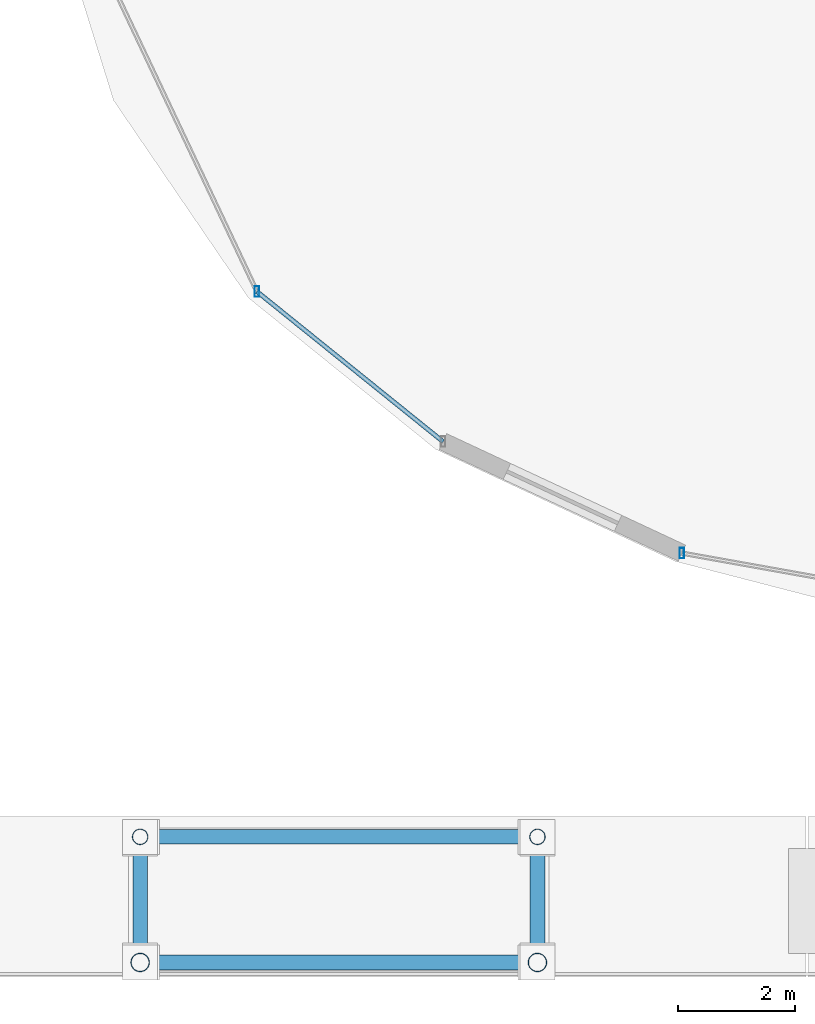
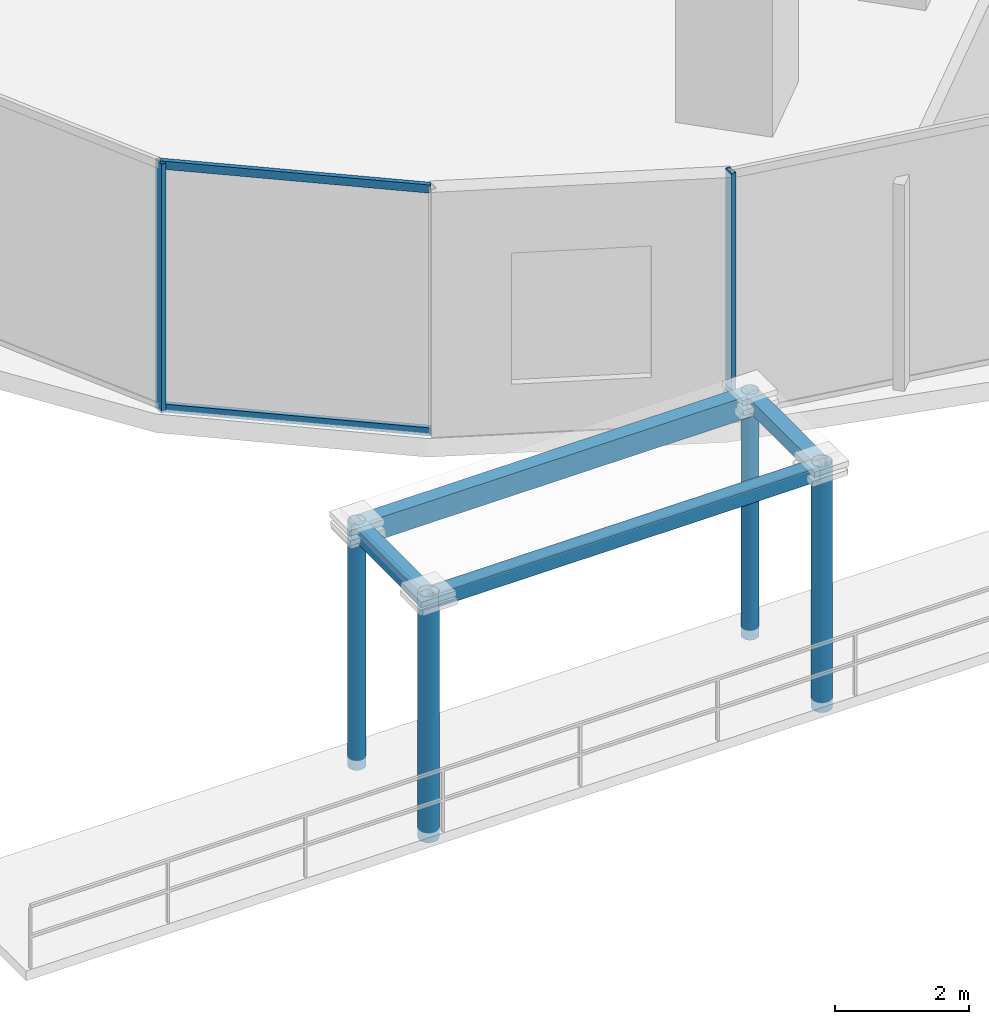
# One storey, part 2 of 36: 12 members, 2 elements without a shape of their own.
"""IFC4 building model written with IfcOpenShell, lengths in metres."""

from ifc_helpers import new_model, si_unit, direction, frame, origin, origin_2d, place, context, subcontext, project, spatial, hollow_rectangle, hollow_circle, extrude, material, material_profile, profile_set, type_object, element, aggregate, save


model = new_model("IFC4")

# Units and contexts
model_context = context("Model", 3, precision=1e-05, world=origin(), true_north=direction((0.0, 1.0)))
body_context = subcontext(model_context, "Body", "Model", "MODEL_VIEW")
ifc_project = project(units=[si_unit("LENGTHUNIT", "METRE"), si_unit("AREAUNIT", "SQUARE_METRE"), si_unit("VOLUMEUNIT", "CUBIC_METRE"), si_unit("PLANEANGLEUNIT", "RADIAN"), si_unit("MASSUNIT", "GRAM", prefix="KILO")], contexts=[model_context])

# Site, building, storey
site_placement = place(None, origin())
site = spatial("IfcSite", under=ifc_project, at=site_placement, CompositionType="ELEMENT")
building_placement = place(site_placement, origin())
building = spatial("IfcBuilding", under=site, at=building_placement, Name="Vorneva Point Tower", CompositionType="ELEMENT")
storey_placement = place(building_placement, origin())
storey = spatial("IfcBuildingStorey", under=building, at=storey_placement, Name="L00", CompositionType="ELEMENT", Elevation=0.0)

# Curtain wall, member
ifc_material_1 = material(Name="Pale anodised aluminium", Category="aluminium")
curtain_wall_type = type_object("IfcCurtainWallType", Name="CW-POD-SYS", PredefinedType="NOTDEFINED", material=ifc_material_1)
curtain_wall_1_placement = place(storey_placement, origin())
curtain_wall_1 = element("IfcCurtainWall", 1, at=curtain_wall_1_placement, inside=storey, type_object=curtain_wall_type, Name="L00 Unitised Curtain Wall CW-L00-R05", PredefinedType="NOTDEFINED")
ifc_material_profile_1 = material_profile(ifc_material_1, hollow_rectangle(XDim=0.074951171875, YDim=0.179931640625, WallThickness=0.00390625, at=origin_2d()), Name="AL-MUL 180x75x4")
ifc_profile_set_1 = profile_set([ifc_material_profile_1], Name="Pale anodised aluminium")
member_type_1 = type_object("IfcMemberType", Name="CW-MUL-180", PredefinedType="MULLION", material=ifc_profile_set_1)
member_1_placement = place(storey_placement, frame((6.59814453125, 9.53369140625, -0.0400390625), z_axis=(0.0, 0.0, 1.0), x_axis=(1.0, 0.0, 0.0)))
member_1 = element("IfcMember", 2, at=member_1_placement, type_object=member_type_1, Name="CW-L00-R05 Mullion 02", PredefinedType="MULLION", context=body_context, shape_type="SweptSolid", body=[
    extrude(hollow_rectangle(XDim=0.074951171875, YDim=0.179931640625, WallThickness=0.00390625, at=origin_2d()), origin(), (0.0, 0.0, 1.0), 4.550048828125),
])

curtain_wall_2_placement = place(storey_placement, origin())
curtain_wall_2 = element("IfcCurtainWall", 3, at=curtain_wall_2_placement, inside=storey, type_object=curtain_wall_type, Name="L00 Unitised Curtain Wall CW-L00-R06", PredefinedType="NOTDEFINED")
member_2_placement = place(storey_placement, frame((13.871826171875, 5.056396484375, -0.0400390625), z_axis=(0.0, 0.0, 1.0), x_axis=(1.0, 0.0, 0.0)))
member_2 = element("IfcMember", 4, at=member_2_placement, type_object=member_type_1, Name="CW-L00-R06 Mullion 01", PredefinedType="MULLION", context=body_context, shape_type="SweptSolid", body=[
    extrude(hollow_rectangle(XDim=0.074951171875, YDim=0.179931640625, WallThickness=0.00390625, at=origin_2d()), origin(), (0.0, 0.0, 1.0), 4.550048828125),
])
aggregate(curtain_wall_2, [member_2])

# Member
ifc_material_profile_2 = material_profile(ifc_material_1, hollow_rectangle(XDim=0.074951171875, YDim=0.14990234375, WallThickness=0.00390625, at=origin_2d()), Name="AL-TRN 150x75x4")
ifc_profile_set_2 = profile_set([ifc_material_profile_2], Name="Pale anodised aluminium")
member_type_2 = type_object("IfcMemberType", Name="CW-TRN-150", PredefinedType="USERDEFINED", material=ifc_profile_set_2)
member_3_placement = place(storey_placement, frame((6.59814453125, 9.53369140625, 0.02001953125), z_axis=(0.778389533764, -0.627781597155, 0.0), x_axis=(0.627781597155, 0.778389533764, 0.0)))
member_3 = element("IfcMember", 5, at=member_3_placement, type_object=member_type_2, Name="CW-L00-R05 Transom 02.1", ObjectType="TRANSOM", PredefinedType="USERDEFINED", context=body_context, shape_type="SweptSolid", body=[
    extrude(hollow_rectangle(XDim=0.074951171875, YDim=0.14990234375, WallThickness=0.00390625, at=origin_2d()), origin(), (0.0, 0.0, 1.0), 4.093017578125),
])

member_4_placement = place(storey_placement, frame((6.59814453125, 9.53369140625, 4.4599609375), z_axis=(0.778389533764, -0.627781597155, 0.0), x_axis=(0.627781597155, 0.778389533764, 0.0)))
member_4 = element("IfcMember", 6, at=member_4_placement, type_object=member_type_2, Name="CW-L00-R05 Transom 02.2", ObjectType="TRANSOM", PredefinedType="USERDEFINED", context=body_context, shape_type="SweptSolid", body=[
    extrude(hollow_rectangle(XDim=0.074951171875, YDim=0.14990234375, WallThickness=0.00390625, at=origin_2d()), origin(), (0.0, 0.0, 1.0), 4.093017578125),
])

aggregate(curtain_wall_1, [member_1, member_3, member_4])

# Members
ifc_material_2 = material(Name="Steel S355", Category="steel")
ifc_material_profile_3 = material_profile(ifc_material_2, hollow_circle(Radius=0.136474609375, WallThickness=0.011962890625, at=origin_2d()), Name="CHS 273x12")
ifc_profile_set_3 = profile_set([ifc_material_profile_3], Name="Steel S355")
member_type_3 = type_object("IfcMemberType", Name="MBR-CAN-CHS273", PredefinedType="STRUT", material=ifc_profile_set_3)
for number, where, z_axis, x_axis, name in (
    (7, (11.39990234375, 0.199951171875, -0.179931640625), (0.0, 0.0, 1.0), (1.0, 0.0, 0.0), "Waterfront Promenade Canopy CAN-01 Post 3"),
    (8, (4.60009765625, 0.199951171875, -0.179931640625), (0.0, 0.0, 1.0), (1.0, 0.0, 0.0), "Waterfront Promenade Canopy CAN-01 Post 4"),
):
    element("IfcMember", number, at=place(storey_placement, frame(where, z_axis=z_axis, x_axis=x_axis)), inside=storey, type_object=member_type_3, Name=name, PredefinedType="STRUT", context=body_context, shape_type="SweptSolid", body=[
        extrude(hollow_circle(Radius=0.136474609375, WallThickness=0.011962890625, at=origin_2d()), origin(), (0.0, 0.0, 1.0), 4.489990234375),
    ])
ifc_material_profile_4 = material_profile(ifc_material_2, hollow_circle(Radius=0.16259765625, WallThickness=0.013916015625, at=origin_2d()), Name="CHS 325x14")
ifc_profile_set_4 = profile_set([ifc_material_profile_4], Name="Steel S355")
member_type_4 = type_object("IfcMemberType", Name="MBR-CAN-CHS325", PredefinedType="BRACE", material=ifc_profile_set_4)
for number, where, z_axis, x_axis, name in (
    (9, (4.60009765625, -1.949951171875, -0.179931640625), (0.0, 0.0, 1.0), (1.0, 0.0, 0.0), "Waterfront Promenade Canopy CAN-01 Post 1"),
    (10, (11.39990234375, -1.949951171875, -0.179931640625), (0.0, 0.0, 1.0), (1.0, 0.0, 0.0), "Waterfront Promenade Canopy CAN-01 Post 2"),
):
    element("IfcMember", number, at=place(storey_placement, frame(where, z_axis=z_axis, x_axis=x_axis)), inside=storey, type_object=member_type_4, Name=name, PredefinedType="BRACE", context=body_context, shape_type="SweptSolid", body=[
        extrude(hollow_circle(Radius=0.16259765625, WallThickness=0.013916015625, at=origin_2d()), origin(), (0.0, 0.0, 1.0), 4.489990234375),
    ])
ifc_material_profile_5 = material_profile(ifc_material_2, hollow_rectangle(XDim=0.25, YDim=0.25, WallThickness=0.011962890625, at=origin_2d()), Name="PK 250x250x12")
ifc_profile_set_5 = profile_set([ifc_material_profile_5], Name="Steel S355")
member_type_5 = type_object("IfcMemberType", Name="MBR-STR-PK250", PredefinedType="STRUT", material=ifc_profile_set_5)
member_5_placement = place(storey_placement, frame((4.659912109375, -1.949951171875, 4.179931640625), z_axis=(1.0, 0.0, 0.0), x_axis=(0.0, 1.0, 0.0)))
element("IfcMember", 11, at=member_5_placement, inside=storey, type_object=member_type_5, Name="Waterfront Promenade Canopy CAN-01 Tie 1", PredefinedType="STRUT", context=body_context, shape_type="SweptSolid", body=[
    extrude(hollow_rectangle(XDim=0.25, YDim=0.25, WallThickness=0.011962890625, at=origin_2d()), origin(), (0.0, 0.0, 1.0), 6.68017578125),
])
for number, where, z_axis, x_axis, name in (
    (12, (11.39990234375, -1.889892578125, 4.179931640625), (0.0, 1.0, 0.0), (-1.0, 0.0, 0.0), "Waterfront Promenade Canopy CAN-01 Tie 3"),
    (13, (4.60009765625, 0.139892578125, 4.179931640625), (0.0, -1.0, 0.0), (1.0, 0.0, 0.0), "Waterfront Promenade Canopy CAN-01 Tie 4"),
):
    element("IfcMember", number, at=place(storey_placement, frame(where, z_axis=z_axis, x_axis=x_axis)), inside=storey, type_object=member_type_5, Name=name, PredefinedType="STRUT", context=body_context, shape_type="SweptSolid", body=[
        extrude(hollow_rectangle(XDim=0.25, YDim=0.25, WallThickness=0.011962890625, at=origin_2d()), origin(), (0.0, 0.0, 1.0), 2.02978515625),
    ])
ifc_material_3 = material(Name="Steel S460", Category="steel")
ifc_material_profile_6 = material_profile(ifc_material_3, hollow_rectangle(XDim=0.25, YDim=0.39990234375, WallThickness=0.013916015625, at=origin_2d()), Name="PP 400x250x14")
ifc_profile_set_6 = profile_set([ifc_material_profile_6], Name="Steel S460")
member_type_6 = type_object("IfcMemberType", Name="MBR-STR-PP400", PredefinedType="STRUT", material=ifc_profile_set_6)
member_6_placement = place(storey_placement, frame((11.340087890625, 0.199951171875, 4.10498046875), z_axis=(-1.0, 0.0, 0.0), x_axis=(0.0, -1.0, 0.0)))
element("IfcMember", 14, at=member_6_placement, inside=storey, type_object=member_type_6, Name="Waterfront Promenade Canopy CAN-01 Tie 2", PredefinedType="STRUT", context=body_context, shape_type="SweptSolid", body=[
    extrude(hollow_rectangle(XDim=0.25, YDim=0.39990234375, WallThickness=0.013916015625, at=origin_2d()), origin(), (0.0, 0.0, 1.0), 6.68017578125),
])

save(model, "model.ifc")
